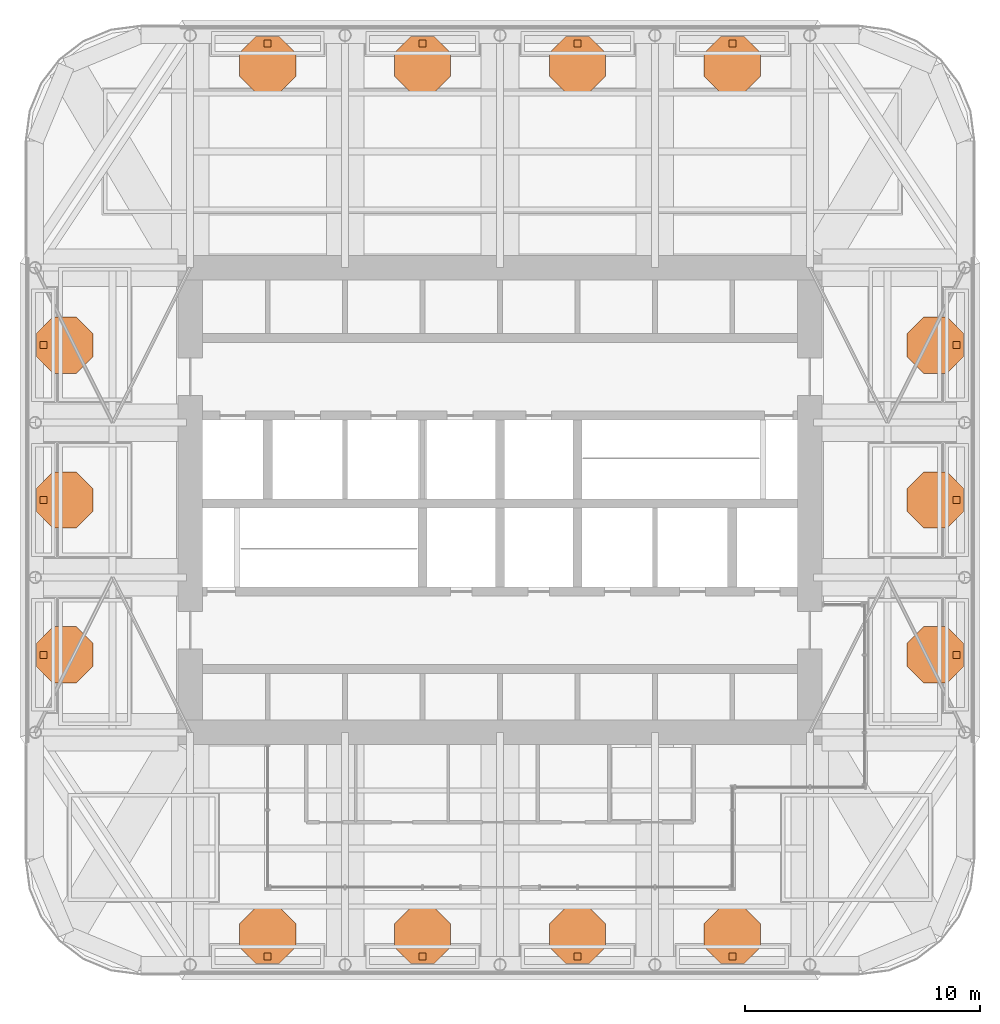
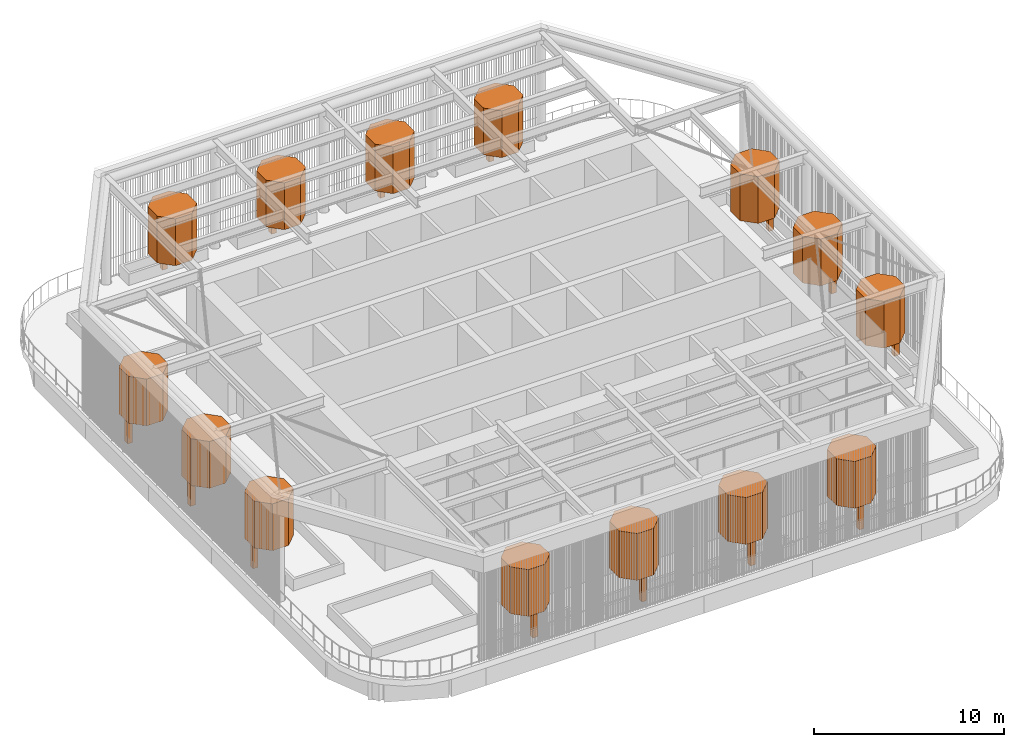
# One storey, part 22 of 22: 28 geographic elements.
"""IFC4 building model written with IfcOpenShell, lengths in metres."""

import ifcopenshell
import ifcopenshell.guid

model = None  # the IFC model being written
_history = None  # IfcOwnerHistory: only IFC2X3 demands one
_inside = {}  # id of a spatial element -> (the spatial element, [elements in it])
_under = {}  # id of a project, library or spatial element -> (it, [spatial elements below it])
_declared = {}  # id of a project -> (the project, [libraries it declares])
_typed = {}  # id of a type object -> (the type object, [elements of that type])
_made_of = {}  # id of a material, layer set ... -> (it, [elements and type objects made of it])


def new_model(schema):
    """Start an empty IFC model of exactly this schema.

    Asked for "IFC4X3", IfcOpenShell would pick the latest addendum, in which some entities
    have other attributes; the version numbers below select the first issue.
    IFC2X3 requires an IfcOwnerHistory on every rooted entity: one is made here for all.
    """
    global model, _history
    if schema == "IFC4X3":
        model = ifcopenshell.file(schema_version=(4, 3, 0, 0))
    else:
        model = ifcopenshell.file(schema=schema)
    _inside.clear()
    _under.clear()
    _declared.clear()
    _typed.clear()
    _made_of.clear()
    _history = None
    if model.schema == "IFC2X3":
        org = make("IfcOrganization", Name="unknown")
        user = make(
            "IfcPersonAndOrganization",
            ThePerson=make("IfcPerson", FamilyName="unknown"),
            TheOrganization=org,
        )
        app = make(
            "IfcApplication",
            ApplicationDeveloper=org,
            Version="unknown",
            ApplicationFullName="unknown",
            ApplicationIdentifier="unknown",
        )
        _history = make(
            "IfcOwnerHistory",
            OwningUser=user,
            OwningApplication=app,
            ChangeAction="ADDED",
            CreationDate=0,
        )
    return model


def make(cls, **values):
    """One entity of the class cls with the attributes given. An attribute that is None is left unset."""
    return model.create_entity(
        cls, **{name: value for name, value in values.items() if value is not None}
    )


def rooted(cls, **values):
    """An entity with a GlobalId (a new one), such as an element, a storey or a relation."""
    return make(cls, GlobalId=ifcopenshell.guid.new(), OwnerHistory=_history, **values)


def si_unit(unit_type, name, prefix=None):
    """IfcSIUnit, for example si_unit("LENGTHUNIT", "METRE", prefix="MILLI")."""
    return make("IfcSIUnit", UnitType=unit_type, Prefix=prefix, Name=name)


def assignment(units):
    """IfcUnitAssignment: the units of a project."""
    return None if units is None else make("IfcUnitAssignment", Units=units)


def point(xyz):
    """IfcCartesianPoint."""
    return None if xyz is None else make("IfcCartesianPoint", Coordinates=xyz)


def direction(xyz):
    """IfcDirection."""
    return None if xyz is None else make("IfcDirection", DirectionRatios=xyz)


def frame(location, z_axis=None, x_axis=None):
    """IfcAxis2Placement3D, a coordinate frame: its origin and axes. An axis left out is left unset."""
    return make(
        "IfcAxis2Placement3D",
        Location=point(location),
        Axis=direction(z_axis),
        RefDirection=direction(x_axis),
    )


def frame_2d(location, x_axis=None):
    """IfcAxis2Placement2D, a coordinate frame in the plane: its origin and x axis."""
    return make(
        "IfcAxis2Placement2D", Location=point(location), RefDirection=direction(x_axis)
    )


def origin():
    """The frame at (0, 0, 0) with its axes left unset."""
    return frame((0.0, 0.0, 0.0))


def origin_2d():
    """The frame at (0, 0) in the plane with its x axis left unset."""
    return frame_2d((0.0, 0.0))


def place(relative_to, where):
    """IfcLocalPlacement: puts the frame where relative to a parent placement (None: the world)."""
    return make(
        "IfcLocalPlacement", PlacementRelTo=relative_to, RelativePlacement=where
    )


def context(
    kind, dimensions, precision=None, world=None, true_north=None, identifier=None
):
    """IfcGeometricRepresentationContext, for example the 3D "Model" context."""
    return make(
        "IfcGeometricRepresentationContext",
        ContextIdentifier=identifier,
        ContextType=kind,
        CoordinateSpaceDimension=dimensions,
        Precision=precision,
        WorldCoordinateSystem=world,
        TrueNorth=true_north,
    )


def subcontext(parent, identifier, kind, view, scale=None):
    """IfcGeometricRepresentationSubContext, for example "Body" below "Model"."""
    return make(
        "IfcGeometricRepresentationSubContext",
        ContextIdentifier=identifier,
        ContextType=kind,
        ParentContext=parent,
        TargetScale=scale,
        TargetView=view,
    )


def project(units=None, contexts=None):
    """IfcProject with its units and contexts."""
    return rooted(
        "IfcProject",
        Name="project",
        RepresentationContexts=contexts,
        UnitsInContext=assignment(units),
    )


def spatial(cls, under=None, at=None, **own):
    """A site, building, storey or space (cls), placed at a placement, below another one or the project."""
    s = rooted(cls, ObjectPlacement=at, **own)
    if under is not None:
        _under.setdefault(under.id(), (under, []))[1].append(s)
    return s


def polyline(points):
    """IfcPolyline through the points."""
    return make("IfcPolyline", Points=[point(p) for p in points])


def profile(cls, at=None, kind="AREA", **sizes):
    """A parametric profile (cls). Its sizes go by their IFC names, for example OverallWidth=200.0."""
    return make(cls, ProfileType=kind, Position=at, **sizes)


def rectangle(**sizes):
    """IfcRectangleProfileDef."""
    return profile("IfcRectangleProfileDef", **sizes)


def outline(outer, holes=None, kind="AREA"):
    """IfcArbitraryClosedProfileDef: a profile drawn as a closed curve; with holes, ...WithVoids."""
    if holes is None:
        return make("IfcArbitraryClosedProfileDef", ProfileType=kind, OuterCurve=outer)
    return make(
        "IfcArbitraryProfileDefWithVoids",
        ProfileType=kind,
        OuterCurve=outer,
        InnerCurves=holes,
    )


def extrude(swept, where, along, depth):
    """IfcExtrudedAreaSolid: the profile swept, set in the frame where, extruded along a direction by depth."""
    return make(
        "IfcExtrudedAreaSolid",
        SweptArea=swept,
        Position=where,
        ExtrudedDirection=direction(along),
        Depth=depth,
    )


def shape(context_of_items, identifier, shape_type, items):
    """IfcShapeRepresentation: the items that make up one representation, for example the "Body"."""
    return make(
        "IfcShapeRepresentation",
        ContextOfItems=context_of_items,
        RepresentationIdentifier=identifier,
        RepresentationType=shape_type,
        Items=items,
    )


def material(Name=None, Category=None):
    """IfcMaterial."""
    return make("IfcMaterial", Name=Name, Category=Category)


def made_of(thing, what):
    """Note that an element or type object is made of a material, layer set ...; save() writes the relation."""
    if what is not None:
        _made_of.setdefault(what.id(), (what, []))[1].append(thing)
    return thing


def type_object(cls, material=None, **own):
    """A type object (cls), such as IfcWallType, which elements share."""
    return made_of(rooted(cls, **own), material)


def element(
    cls,
    number,
    at=None,
    inside=None,
    cuts=None,
    type_object=None,
    material=None,
    context=None,
    identifier="Body",
    shape_type=None,
    held_by="IfcProductDefinitionShape",
    body=None,
    shapes=None,
    **own,
):
    """One element of the class cls, such as IfcWall. Its Tag is "e" and its number.

    at: its placement. inside: the storey or other place that contains it. cuts: it is an
    opening in that element (IfcRelVoidsElement). A single representation is given by context,
    identifier, shape_type and body (its items); several are given by shapes. held_by: the class
    of the entity that holds the representations. save() writes the other relations.
    """
    e = rooted(cls, Tag="e%d" % number, ObjectPlacement=at, **own)
    if body is not None:
        shapes = [shape(context, identifier, shape_type, body)]
    if shapes is not None:
        e.Representation = make(held_by, Representations=shapes)
    if inside is not None:
        _inside.setdefault(inside.id(), (inside, []))[1].append(e)
    if cuts is not None:
        rooted(
            "IfcRelVoidsElement", RelatingBuildingElement=cuts, RelatedOpeningElement=e
        )
    if type_object is not None:
        _typed.setdefault(type_object.id(), (type_object, []))[1].append(e)
    return made_of(e, material)


def aggregate(whole, parts):
    """IfcRelAggregates: a whole, such as a stair, and the parts it consists of."""
    return rooted("IfcRelAggregates", RelatingObject=whole, RelatedObjects=parts)


def save(model, path):
    """Write the relations noted so far, then the file.

    IfcRelAggregates (storeys below a building ...), IfcRelContainedInSpatialStructure (elements
    in a storey), IfcRelDefinesByType, IfcRelAssociatesMaterial and IfcRelDeclares: one each for
    every whole, place, type object, material and project.
    """
    for whole, parts in _under.values():
        aggregate(whole, parts)
    for where, things in _inside.values():
        rooted(
            "IfcRelContainedInSpatialStructure",
            RelatedElements=things,
            RelatingStructure=where,
        )
    for kind, things in _typed.values():
        rooted("IfcRelDefinesByType", RelatedObjects=things, RelatingType=kind)
    for what, things in _made_of.values():
        rooted("IfcRelAssociatesMaterial", RelatedObjects=things, RelatingMaterial=what)
    for by, libraries in _declared.values():
        rooted("IfcRelDeclares", RelatingContext=by, RelatedDefinitions=libraries)
    model.write(path)


model = new_model("IFC4")

# Units and contexts
model_context = context("Model", 3, precision=1e-05, world=origin(), true_north=direction((0.0, 1.0)))
body_context = subcontext(model_context, "Body", "Model", "MODEL_VIEW")
ifc_project = project(units=[si_unit("LENGTHUNIT", "METRE"), si_unit("AREAUNIT", "SQUARE_METRE"), si_unit("VOLUMEUNIT", "CUBIC_METRE"), si_unit("PLANEANGLEUNIT", "RADIAN"), si_unit("MASSUNIT", "GRAM", prefix="KILO")], contexts=[model_context])

# Site, building, storey
site_placement = place(None, origin())
site = spatial("IfcSite", under=ifc_project, at=site_placement, CompositionType="ELEMENT")
building_placement = place(site_placement, origin())
building = spatial("IfcBuilding", under=site, at=building_placement, Name="Cobogo Forest Laboratory Tower", CompositionType="ELEMENT")
storey_placement = place(building_placement, frame((0.0, 0.0, 292.800048828125)))
storey = spatial("IfcBuildingStorey", under=building, at=storey_placement, Name="RF", CompositionType="ELEMENT", Elevation=292.800048828125)

# Geographic elements
ifc_material = material(Name="Planting", Category="plant")
geographic_element_type_1 = type_object("IfcGeographicElementType", Name="Tree trunk 300", PredefinedType="USERDEFINED", material=ifc_material)
for number, where, z_axis, x_axis, name in (
    (1, (16.5, 3.64990234375, 0.0), (0.0, 0.0, 1.0), (1.0, 0.0, 0.0), "Tree trunk RG-S1 RF"),
    (2, (23.10009765625, 3.64990234375, 0.0), (0.0, 0.0, 1.0), (1.0, 0.0, 0.0), "Tree trunk RG-S2 RF"),
    (3, (29.699951171875, 3.64990234375, 0.0), (0.0, 0.0, 1.0), (1.0, 0.0, 0.0), "Tree trunk RG-S3 RF"),
    (4, (36.300048828125, 3.64990234375, 0.0), (0.0, 0.0, 1.0), (1.0, 0.0, 0.0), "Tree trunk RG-S4 RF"),
    (5, (45.85009765625, 16.5, 0.0), (0.0, 0.0, 1.0), (1.0, 0.0, 0.0), "Tree trunk RG-E1 RF"),
    (6, (45.85009765625, 23.10009765625, 0.0), (0.0, 0.0, 1.0), (1.0, 0.0, 0.0), "Tree trunk RG-E2 RF"),
    (7, (45.85009765625, 29.699951171875, 0.0), (0.0, 0.0, 1.0), (1.0, 0.0, 0.0), "Tree trunk RG-E3 RF"),
    (8, (16.5, 42.550048828125, 0.0), (0.0, 0.0, 1.0), (1.0, 0.0, 0.0), "Tree trunk RG-N1 RF"),
    (9, (23.10009765625, 42.550048828125, 0.0), (0.0, 0.0, 1.0), (1.0, 0.0, 0.0), "Tree trunk RG-N2 RF"),
    (10, (29.699951171875, 42.550048828125, 0.0), (0.0, 0.0, 1.0), (1.0, 0.0, 0.0), "Tree trunk RG-N3 RF"),
    (11, (36.300048828125, 42.550048828125, 0.0), (0.0, 0.0, 1.0), (1.0, 0.0, 0.0), "Tree trunk RG-N4 RF"),
    (12, (6.949951171875, 16.5, 0.0), (0.0, 0.0, 1.0), (1.0, 0.0, 0.0), "Tree trunk RG-W1 RF"),
    (13, (6.949951171875, 23.10009765625, 0.0), (0.0, 0.0, 1.0), (1.0, 0.0, 0.0), "Tree trunk RG-W2 RF"),
    (14, (6.949951171875, 29.699951171875, 0.0), (0.0, 0.0, 1.0), (1.0, 0.0, 0.0), "Tree trunk RG-W3 RF"),
):
    element("IfcGeographicElement", number, at=place(storey_placement, frame(where, z_axis=z_axis, x_axis=x_axis)), inside=storey, type_object=geographic_element_type_1, Name=name, ObjectType="TREE TRUNK", PredefinedType="USERDEFINED", context=body_context, shape_type="SweptSolid", body=[
        extrude(rectangle(XDim=0.300048828125, YDim=0.300048828125, at=origin_2d()), origin(), (0.0, 0.0, 1.0), 1.60009765625),
    ])
geographic_element_type_2 = type_object("IfcGeographicElementType", Name="Tree, olive 4 m", PredefinedType="USERDEFINED", material=ifc_material)
geographic_element_1_placement = place(storey_placement, frame((0.0, 0.0, 1.599853515625)))
element("IfcGeographicElement", 15, at=geographic_element_1_placement, inside=storey, type_object=geographic_element_type_2, Name="Olive tree RG-S1 RF", ObjectType="TREE", PredefinedType="USERDEFINED", context=body_context, shape_type="SweptSolid", body=[
    extrude(outline(polyline([(17.699951171875, 4.052978515625), (17.699951171875, 5.047119140625), (16.9970703125, 5.75), (16.0029296875, 5.75), (15.300048828125, 5.047119140625), (15.300048828125, 4.052978515625), (16.0029296875, 3.35009765625), (16.9970703125, 3.35009765625), (17.699951171875, 4.052978515625)])), origin(), (0.0, 0.0, 1.0), 3.0),
])
geographic_element_2_placement = place(storey_placement, frame((0.0, 0.0, 1.599853515625)))
element("IfcGeographicElement", 16, at=geographic_element_2_placement, inside=storey, type_object=geographic_element_type_2, Name="Olive tree RG-S2 RF", ObjectType="TREE", PredefinedType="USERDEFINED", context=body_context, shape_type="SweptSolid", body=[
    extrude(outline(polyline([(24.300048828125, 4.052978515625), (24.300048828125, 5.047119140625), (23.59716796875, 5.75), (22.60302734375, 5.75), (21.89990234375, 5.047119140625), (21.89990234375, 4.052978515625), (22.60302734375, 3.35009765625), (23.59716796875, 3.35009765625), (24.300048828125, 4.052978515625)])), origin(), (0.0, 0.0, 1.0), 3.0),
])
geographic_element_3_placement = place(storey_placement, frame((0.0, 0.0, 1.599853515625)))
element("IfcGeographicElement", 17, at=geographic_element_3_placement, inside=storey, type_object=geographic_element_type_2, Name="Olive tree RG-S3 RF", ObjectType="TREE", PredefinedType="USERDEFINED", context=body_context, shape_type="SweptSolid", body=[
    extrude(outline(polyline([(30.89990234375, 4.052978515625), (30.89990234375, 5.047119140625), (30.197021484375, 5.75), (29.202880859375, 5.75), (28.5, 5.047119140625), (28.5, 4.052978515625), (29.202880859375, 3.35009765625), (30.197021484375, 3.35009765625), (30.89990234375, 4.052978515625)])), origin(), (0.0, 0.0, 1.0), 3.0),
])
geographic_element_4_placement = place(storey_placement, frame((0.0, 0.0, 1.599853515625)))
element("IfcGeographicElement", 18, at=geographic_element_4_placement, inside=storey, type_object=geographic_element_type_2, Name="Olive tree RG-S4 RF", ObjectType="TREE", PredefinedType="USERDEFINED", context=body_context, shape_type="SweptSolid", body=[
    extrude(outline(polyline([(37.5, 4.052978515625), (37.5, 5.047119140625), (36.797119140625, 5.75), (35.802978515625, 5.75), (35.10009765625, 5.047119140625), (35.10009765625, 4.052978515625), (35.802978515625, 3.35009765625), (36.797119140625, 3.35009765625), (37.5, 4.052978515625)])), origin(), (0.0, 0.0, 1.0), 3.0),
])
geographic_element_5_placement = place(storey_placement, frame((0.0, 0.0, 1.599853515625)))
element("IfcGeographicElement", 19, at=geographic_element_5_placement, inside=storey, type_object=geographic_element_type_2, Name="Olive tree RG-E1 RF", ObjectType="TREE", PredefinedType="USERDEFINED", context=body_context, shape_type="SweptSolid", body=[
    extrude(outline(polyline([(46.14990234375, 16.0029296875), (46.14990234375, 16.9970703125), (45.447021484375, 17.699951171875), (44.452880859375, 17.699951171875), (43.75, 16.9970703125), (43.75, 16.0029296875), (44.452880859375, 15.300048828125), (45.447021484375, 15.300048828125), (46.14990234375, 16.0029296875)])), origin(), (0.0, 0.0, 1.0), 3.0),
])
geographic_element_6_placement = place(storey_placement, frame((0.0, 0.0, 1.599853515625)))
element("IfcGeographicElement", 20, at=geographic_element_6_placement, inside=storey, type_object=geographic_element_type_2, Name="Olive tree RG-E2 RF", ObjectType="TREE", PredefinedType="USERDEFINED", context=body_context, shape_type="SweptSolid", body=[
    extrude(outline(polyline([(46.14990234375, 22.60302734375), (46.14990234375, 23.59716796875), (45.447021484375, 24.300048828125), (44.452880859375, 24.300048828125), (43.75, 23.59716796875), (43.75, 22.60302734375), (44.452880859375, 21.89990234375), (45.447021484375, 21.89990234375), (46.14990234375, 22.60302734375)])), origin(), (0.0, 0.0, 1.0), 3.0),
])
geographic_element_7_placement = place(storey_placement, frame((0.0, 0.0, 1.599853515625)))
element("IfcGeographicElement", 21, at=geographic_element_7_placement, inside=storey, type_object=geographic_element_type_2, Name="Olive tree RG-E3 RF", ObjectType="TREE", PredefinedType="USERDEFINED", context=body_context, shape_type="SweptSolid", body=[
    extrude(outline(polyline([(46.14990234375, 29.202880859375), (46.14990234375, 30.197021484375), (45.447021484375, 30.89990234375), (44.452880859375, 30.89990234375), (43.75, 30.197021484375), (43.75, 29.202880859375), (44.452880859375, 28.5), (45.447021484375, 28.5), (46.14990234375, 29.202880859375)])), origin(), (0.0, 0.0, 1.0), 3.0),
])
geographic_element_8_placement = place(storey_placement, frame((0.0, 0.0, 1.599853515625)))
element("IfcGeographicElement", 22, at=geographic_element_8_placement, inside=storey, type_object=geographic_element_type_2, Name="Olive tree RG-N1 RF", ObjectType="TREE", PredefinedType="USERDEFINED", context=body_context, shape_type="SweptSolid", body=[
    extrude(outline(polyline([(17.699951171875, 41.15283203125), (17.699951171875, 42.14697265625), (16.9970703125, 42.85009765625), (16.0029296875, 42.85009765625), (15.300048828125, 42.14697265625), (15.300048828125, 41.15283203125), (16.0029296875, 40.449951171875), (16.9970703125, 40.449951171875), (17.699951171875, 41.15283203125)])), origin(), (0.0, 0.0, 1.0), 3.0),
])
geographic_element_9_placement = place(storey_placement, frame((0.0, 0.0, 1.599853515625)))
element("IfcGeographicElement", 23, at=geographic_element_9_placement, inside=storey, type_object=geographic_element_type_2, Name="Olive tree RG-N2 RF", ObjectType="TREE", PredefinedType="USERDEFINED", context=body_context, shape_type="SweptSolid", body=[
    extrude(outline(polyline([(24.300048828125, 41.15283203125), (24.300048828125, 42.14697265625), (23.59716796875, 42.85009765625), (22.60302734375, 42.85009765625), (21.89990234375, 42.14697265625), (21.89990234375, 41.15283203125), (22.60302734375, 40.449951171875), (23.59716796875, 40.449951171875), (24.300048828125, 41.15283203125)])), origin(), (0.0, 0.0, 1.0), 3.0),
])
geographic_element_10_placement = place(storey_placement, frame((0.0, 0.0, 1.599853515625)))
element("IfcGeographicElement", 24, at=geographic_element_10_placement, inside=storey, type_object=geographic_element_type_2, Name="Olive tree RG-N3 RF", ObjectType="TREE", PredefinedType="USERDEFINED", context=body_context, shape_type="SweptSolid", body=[
    extrude(outline(polyline([(30.89990234375, 41.15283203125), (30.89990234375, 42.14697265625), (30.197021484375, 42.85009765625), (29.202880859375, 42.85009765625), (28.5, 42.14697265625), (28.5, 41.15283203125), (29.202880859375, 40.449951171875), (30.197021484375, 40.449951171875), (30.89990234375, 41.15283203125)])), origin(), (0.0, 0.0, 1.0), 3.0),
])
geographic_element_11_placement = place(storey_placement, frame((0.0, 0.0, 1.599853515625)))
element("IfcGeographicElement", 25, at=geographic_element_11_placement, inside=storey, type_object=geographic_element_type_2, Name="Olive tree RG-N4 RF", ObjectType="TREE", PredefinedType="USERDEFINED", context=body_context, shape_type="SweptSolid", body=[
    extrude(outline(polyline([(37.5, 41.15283203125), (37.5, 42.14697265625), (36.797119140625, 42.85009765625), (35.802978515625, 42.85009765625), (35.10009765625, 42.14697265625), (35.10009765625, 41.15283203125), (35.802978515625, 40.449951171875), (36.797119140625, 40.449951171875), (37.5, 41.15283203125)])), origin(), (0.0, 0.0, 1.0), 3.0),
])
geographic_element_12_placement = place(storey_placement, frame((0.0, 0.0, 1.599853515625)))
element("IfcGeographicElement", 26, at=geographic_element_12_placement, inside=storey, type_object=geographic_element_type_2, Name="Olive tree RG-W1 RF", ObjectType="TREE", PredefinedType="USERDEFINED", context=body_context, shape_type="SweptSolid", body=[
    extrude(outline(polyline([(9.050048828125, 16.0029296875), (9.050048828125, 16.9970703125), (8.34716796875, 17.699951171875), (7.35302734375, 17.699951171875), (6.64990234375, 16.9970703125), (6.64990234375, 16.0029296875), (7.35302734375, 15.300048828125), (8.34716796875, 15.300048828125), (9.050048828125, 16.0029296875)])), origin(), (0.0, 0.0, 1.0), 3.0),
])
geographic_element_13_placement = place(storey_placement, frame((0.0, 0.0, 1.599853515625)))
element("IfcGeographicElement", 27, at=geographic_element_13_placement, inside=storey, type_object=geographic_element_type_2, Name="Olive tree RG-W2 RF", ObjectType="TREE", PredefinedType="USERDEFINED", context=body_context, shape_type="SweptSolid", body=[
    extrude(outline(polyline([(9.050048828125, 22.60302734375), (9.050048828125, 23.59716796875), (8.34716796875, 24.300048828125), (7.35302734375, 24.300048828125), (6.64990234375, 23.59716796875), (6.64990234375, 22.60302734375), (7.35302734375, 21.89990234375), (8.34716796875, 21.89990234375), (9.050048828125, 22.60302734375)])), origin(), (0.0, 0.0, 1.0), 3.0),
])
geographic_element_14_placement = place(storey_placement, frame((0.0, 0.0, 1.599853515625)))
element("IfcGeographicElement", 28, at=geographic_element_14_placement, inside=storey, type_object=geographic_element_type_2, Name="Olive tree RG-W3 RF", ObjectType="TREE", PredefinedType="USERDEFINED", context=body_context, shape_type="SweptSolid", body=[
    extrude(outline(polyline([(9.050048828125, 29.202880859375), (9.050048828125, 30.197021484375), (8.34716796875, 30.89990234375), (7.35302734375, 30.89990234375), (6.64990234375, 30.197021484375), (6.64990234375, 29.202880859375), (7.35302734375, 28.5), (8.34716796875, 28.5), (9.050048828125, 29.202880859375)])), origin(), (0.0, 0.0, 1.0), 3.0),
])

save(model, "model.ifc")
